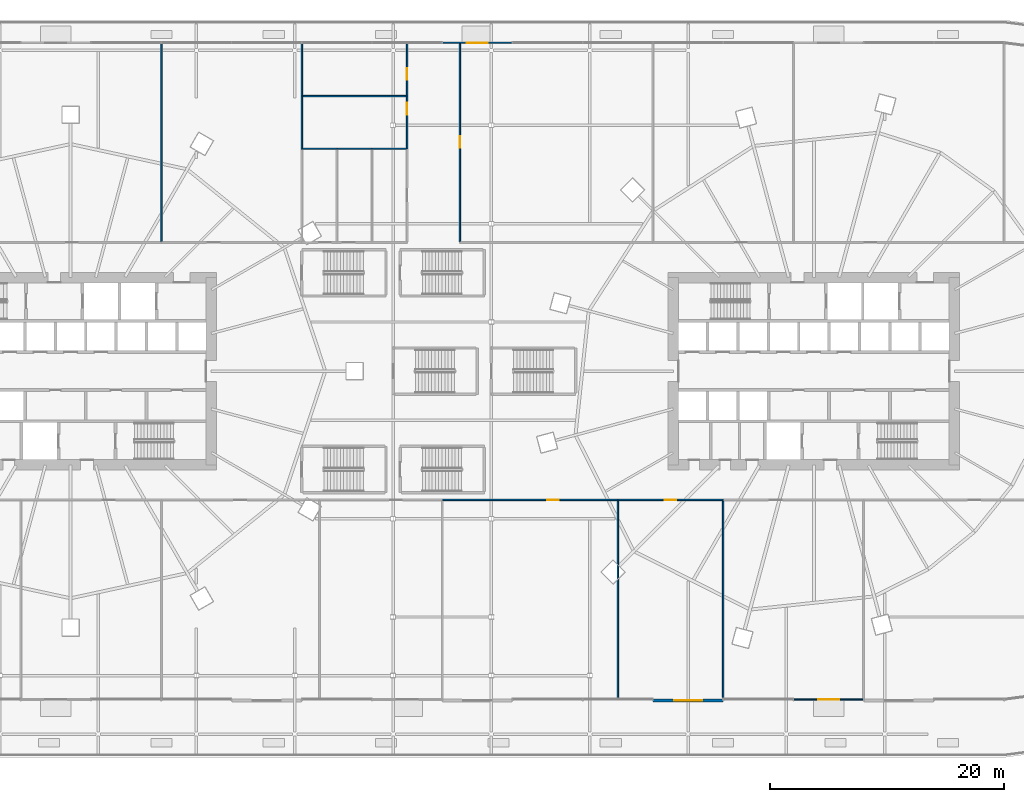
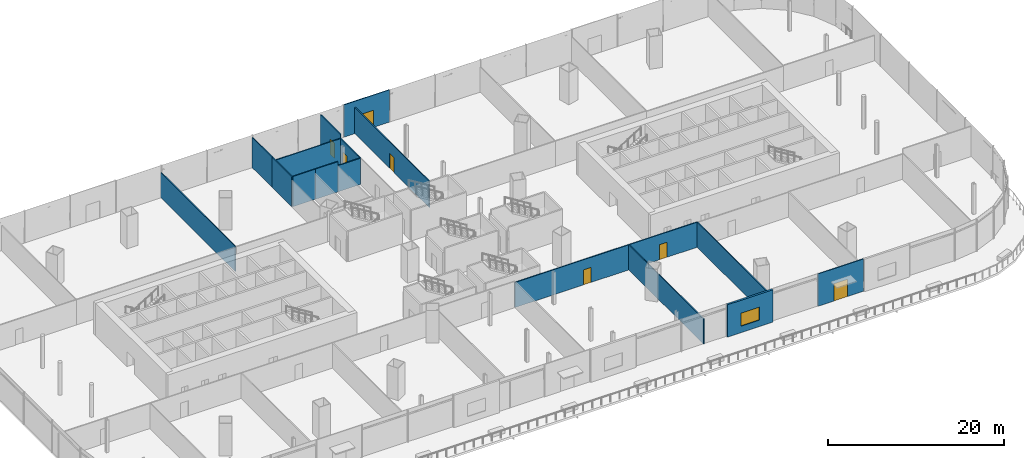
# One storey, part 37 of 52: 17 walls, 7 doors, 1 window, 8 openings.
"""IFC4 building model written with IfcOpenShell, lengths in metres."""

from ifc_helpers import new_model, si_unit, direction, frame, frame_2d, origin, place, context, subcontext, project, spatial, rectangle, extrude, material, layer, layer_set, type_object, element, fill, save


model = new_model("IFC4")

# Units and contexts
model_context = context("Model", 3, precision=1e-05, world=origin(), true_north=direction((0.0, 1.0)))
body_context = subcontext(model_context, "Body", "Model", "MODEL_VIEW")
ifc_project = project(units=[si_unit("LENGTHUNIT", "METRE"), si_unit("AREAUNIT", "SQUARE_METRE"), si_unit("VOLUMEUNIT", "CUBIC_METRE"), si_unit("PLANEANGLEUNIT", "RADIAN"), si_unit("MASSUNIT", "GRAM", prefix="KILO")], contexts=[model_context])

# Site, building, storey
site_placement = place(None, origin())
site = spatial("IfcSite", under=ifc_project, at=site_placement, CompositionType="ELEMENT")
building_placement = place(site_placement, origin())
building = spatial("IfcBuilding", under=site, at=building_placement, Name="Rimbun Link Towers", CompositionType="ELEMENT")
storey_placement = place(building_placement, frame((0.0, 0.0, 21.0)))
storey = spatial("IfcBuildingStorey", under=building, at=storey_placement, Name="L04", CompositionType="ELEMENT", Elevation=21.0)

# Wall, opening, door
ifc_material_1 = material(Name="Aluminium framed insulated infill panel", Category="aluminium")
ifc_layer_1 = layer(ifc_material_1, 0.10009765625)
ifc_layer_set_1 = layer_set([ifc_layer_1], Name="ED framed infill wall 100")
wall_type_1 = type_object("IfcWallType", Name="ED framed infill wall 100", PredefinedType="STANDARD", material=ifc_layer_set_1)
wall_1_placement = place(storey_placement, frame((0.02001953125, 28.050048828125, 0.0), z_axis=(0.0, 0.0, 1.0), x_axis=(1.0, 0.0, 0.0)))
wall_1 = element("IfcWall", 1, at=wall_1_placement, inside=storey, type_object=wall_type_1, Name="Framed door bay wall", PredefinedType="STANDARD", context=body_context, shape_type="SweptSolid", body=[
    extrude(rectangle(XDim=5.9599609375, YDim=0.10009765625, at=frame_2d((2.97998046875, 0.0))), origin(), (0.0, 0.0, 1.0), 4.5),
])
opening_1_placement = place(wall_1_placement, frame((2.080078125, 0.0, 0.0)))
opening_1 = element("IfcOpeningElement", 2, at=opening_1_placement, cuts=wall_1, Name="Opening ED39", PredefinedType="OPENING", context=body_context, shape_type="SweptSolid", body=[
    extrude(rectangle(XDim=1.800048828125, YDim=2.39990234375, at=frame_2d((0.89990234375, 1.199951171875))), frame((0.0, 0.06005859375, 0.0), z_axis=(0.0, -1.0, 0.0), x_axis=(1.0, 0.0, 0.0)), (0.0, 0.0, 1.0), 0.1201171875),
])
ifc_material_2 = material(Name="Aluminium framed glazed door, low-iron glass", Category="aluminium")
door_type_1 = type_object("IfcDoorType", Name="ED terrace door double leaf 1800X2400", OperationType="DOUBLE_DOOR_SINGLE_SWING", PredefinedType="DOOR", material=ifc_material_2)
door_1_placement = place(opening_1_placement, origin())
door_1 = element("IfcDoor", 3, at=door_1_placement, inside=storey, type_object=door_type_1, Name="Terrace door", OperationType="SINGLE_SWING_LEFT", OverallHeight=2.39990234375, OverallWidth=1.800048828125, PredefinedType="DOOR", context=body_context, shape_type="SweptSolid", body=[
    extrude(rectangle(XDim=1.800048828125, YDim=2.39990234375, at=frame_2d((0.89990234375, 1.199951171875))), frame((0.0, 0.02490234375, 0.0), z_axis=(0.0, -1.0, 0.0), x_axis=(1.0, 0.0, 0.0)), (0.0, 0.0, 1.0), 0.050048828125),
])
fill(opening_1, door_1)

wall_2_placement = place(storey_placement, frame((35.97998046875, -28.050048828125, 0.0), z_axis=(0.0, 0.0, 1.0), x_axis=(-1.0, 0.0, 0.0)))
wall_2 = element("IfcWall", 4, at=wall_2_placement, inside=storey, type_object=wall_type_1, Name="Framed door bay wall", PredefinedType="STANDARD", context=body_context, shape_type="SweptSolid", body=[
    extrude(rectangle(XDim=5.9599609375, YDim=0.10009765625, at=frame_2d((2.97998046875, 0.0))), origin(), (0.0, 0.0, 1.0), 4.5),
])
opening_2_placement = place(wall_2_placement, frame((2.080078125, 0.0, 0.0)))
opening_2 = element("IfcOpeningElement", 5, at=opening_2_placement, cuts=wall_2, Name="Opening ED43", PredefinedType="OPENING", context=body_context, shape_type="SweptSolid", body=[
    extrude(rectangle(XDim=1.800048828125, YDim=2.39990234375, at=frame_2d((0.89990234375, 1.199951171875))), frame((0.0, 0.06005859375, 0.0), z_axis=(0.0, -1.0, 0.0), x_axis=(1.0, 0.0, 0.0)), (0.0, 0.0, 1.0), 0.1201171875),
])
door_2_placement = place(opening_2_placement, origin())
door_2 = element("IfcDoor", 6, at=door_2_placement, inside=storey, type_object=door_type_1, Name="Terrace door", OperationType="SINGLE_SWING_LEFT", OverallHeight=2.39990234375, OverallWidth=1.800048828125, PredefinedType="DOOR", context=body_context, shape_type="SweptSolid", body=[
    extrude(rectangle(XDim=1.800048828125, YDim=2.39990234375, at=frame_2d((0.89990234375, 1.199951171875))), frame((0.0, 0.02490234375, 0.0), z_axis=(0.0, -1.0, 0.0), x_axis=(1.0, 0.0, 0.0)), (0.0, 0.0, 1.0), 0.050048828125),
])
fill(opening_2, door_2)

# Wall, opening, window
ifc_material_3 = material(Name="Concrete C32/40, terracotta rainscreen cladding", Category="masonry")
ifc_layer_2 = layer(ifc_material_3, 0.25)
ifc_layer_set_2 = layer_set([ifc_layer_2], Name="PD solid bay wall 250")
wall_type_2 = type_object("IfcWallType", Name="PD solid bay wall 250", PredefinedType="STANDARD", material=ifc_layer_set_2)
wall_3_placement = place(storey_placement, frame((23.97998046875, -28.125, 0.0), z_axis=(0.0, 0.0, 1.0), x_axis=(-1.0, 0.0, 0.0)))
wall_3 = element("IfcWall", 7, at=wall_3_placement, inside=storey, type_object=wall_type_2, Name="Solid bay wall", PredefinedType="STANDARD", context=body_context, shape_type="SweptSolid", body=[
    extrude(rectangle(XDim=5.9599609375, YDim=0.25, at=frame_2d((2.97998046875, 0.0))), origin(), (0.0, 0.0, 1.0), 4.5),
])
opening_3_placement = place(wall_3_placement, frame((1.780029296875, 0.0, 0.89990234375)))
opening_3 = element("IfcOpeningElement", 8, at=opening_3_placement, cuts=wall_3, Name="Opening WN18", PredefinedType="OPENING", context=body_context, shape_type="SweptSolid", body=[
    extrude(rectangle(XDim=2.39990234375, YDim=1.800048828125, at=frame_2d((1.199951171875, 0.89990234375))), frame((0.0, 0.135009765625, 0.0), z_axis=(0.0, -1.0, 0.0), x_axis=(1.0, 0.0, 0.0)), (0.0, 0.0, 1.0), 0.27001953125),
])
ifc_material_4 = material(Name="Aluminium framed window, low-iron glass", Category="aluminium")
window_type = type_object("IfcWindowType", Name="W1 podium window 2400X1800", PartitioningType="SINGLE_PANEL", PredefinedType="WINDOW", material=ifc_material_4)
window_placement = place(opening_3_placement, origin())
window = element("IfcWindow", 9, at=window_placement, inside=storey, type_object=window_type, Name="Podium window", OverallHeight=1.800048828125, OverallWidth=2.39990234375, PartitioningType="SINGLE_PANEL", PredefinedType="WINDOW", context=body_context, shape_type="SweptSolid", body=[
    extrude(rectangle(XDim=2.39990234375, YDim=1.800048828125, at=frame_2d((1.199951171875, 0.89990234375))), frame((0.0, 0.030029296875, 0.0), z_axis=(0.0, -1.0, 0.0), x_axis=(1.0, 0.0, 0.0)), (0.0, 0.0, 1.0), 0.06005859375),
])
fill(opening_3, window)

# Wall, opening, door
ifc_material_5 = material(Name="Gypsum board on steel studs", Category="steel")
ifc_layer_3 = layer(ifc_material_5, 0.125)
ifc_layer_set_3 = layer_set([ifc_layer_3], Name="Partition 125 board on studs")
wall_type_3 = type_object("IfcWallType", Name="Partition 125 board on studs", PredefinedType="PARTITIONING", material=ifc_layer_set_3)
wall_4_placement = place(storey_placement, frame((0.0, -11.0, 0.0), z_axis=(0.0, 0.0, 1.0), x_axis=(1.0, 0.0, 0.0)))
wall_4 = element("IfcWall", 10, at=wall_4_placement, inside=storey, type_object=wall_type_3, Name="PD/PW/L04/030", PredefinedType="PARTITIONING", context=body_context, shape_type="SweptSolid", body=[
    extrude(rectangle(XDim=15.0, YDim=0.125, at=frame_2d((7.5, 0.0))), origin(), (0.0, 0.0, 1.0), 3.49609375),
])
opening_4_placement = place(wall_4_placement, frame((8.965087890625, 0.0, 0.0)))
opening_4 = element("IfcOpeningElement", 11, at=opening_4_placement, cuts=wall_4, Name="Opening PD D04.06", PredefinedType="OPENING", context=body_context, shape_type="SweptSolid", body=[
    extrude(rectangle(XDim=1.0, YDim=2.10009765625, at=frame_2d((0.5, 1.050048828125))), frame((0.0, 0.072509765625, 0.0), z_axis=(0.0, -1.0, 0.0), x_axis=(1.0, 0.0, 0.0)), (0.0, 0.0, 1.0), 0.14501953125),
])
ifc_material_6 = material(Name="Timber door set", Category="wood")
door_type_2 = type_object("IfcDoorType", Name="Door single leaf 1000 x 2100", OperationType="NOTDEFINED", PredefinedType="DOOR", material=ifc_material_6)
door_3_placement = place(opening_4_placement, origin())
door_3 = element("IfcDoor", 12, at=door_3_placement, inside=storey, type_object=door_type_2, Name="PD/DR/L04/006", OperationType="SINGLE_SWING_LEFT", OverallHeight=2.10009765625, OverallWidth=1.0, PredefinedType="DOOR", context=body_context, shape_type="SweptSolid", body=[
    extrude(rectangle(XDim=1.0, YDim=2.10009765625, at=frame_2d((0.5, 1.050048828125))), frame((0.0, 0.02490234375, 0.0), z_axis=(0.0, -1.0, 0.0), x_axis=(1.0, 0.0, 0.0)), (0.0, 0.0, 1.0), 0.050048828125),
])
fill(opening_4, door_3)

wall_5_placement = place(storey_placement, frame((15.0, -11.0, 0.0), z_axis=(0.0, 0.0, 1.0), x_axis=(1.0, 0.0, 0.0)))
wall_5 = element("IfcWall", 13, at=wall_5_placement, inside=storey, type_object=wall_type_3, Name="PD/PW/L04/031", PredefinedType="PARTITIONING", context=body_context, shape_type="SweptSolid", body=[
    extrude(rectangle(XDim=9.0, YDim=0.125, at=frame_2d((4.5, 0.0))), origin(), (0.0, 0.0, 1.0), 3.49609375),
])
opening_5_placement = place(wall_5_placement, frame((4.0, 0.0, 0.0)))
opening_5 = element("IfcOpeningElement", 14, at=opening_5_placement, cuts=wall_5, Name="Opening PD D04.07", PredefinedType="OPENING", context=body_context, shape_type="SweptSolid", body=[
    extrude(rectangle(XDim=1.0, YDim=2.10009765625, at=frame_2d((0.5, 1.050048828125))), frame((0.0, 0.072509765625, 0.0), z_axis=(0.0, -1.0, 0.0), x_axis=(1.0, 0.0, 0.0)), (0.0, 0.0, 1.0), 0.14501953125),
])
door_4_placement = place(opening_5_placement, origin())
door_4 = element("IfcDoor", 15, at=door_4_placement, inside=storey, type_object=door_type_2, Name="PD/DR/L04/007", OperationType="SINGLE_SWING_RIGHT", OverallHeight=2.10009765625, OverallWidth=1.0, PredefinedType="DOOR", context=body_context, shape_type="SweptSolid", body=[
    extrude(rectangle(XDim=1.0, YDim=2.10009765625, at=frame_2d((0.5, 1.050048828125))), frame((0.0, 0.02490234375, 0.0), z_axis=(0.0, -1.0, 0.0), x_axis=(1.0, 0.0, 0.0)), (0.0, 0.0, 1.0), 0.050048828125),
])
fill(opening_5, door_4)

# Walls
for number, where, z_axis, x_axis, name in (
    (16, (15.0, -28.080078125, 0.0), (0.0, 0.0, 1.0), (0.0, 1.0, 0.0), "PD/PW/L04/050"),
    (17, (24.0, -28.080078125, 0.0), (0.0, 0.0, 1.0), (0.0, 1.0, 0.0), "PD/PW/L04/051"),
):
    element("IfcWall", number, at=place(storey_placement, frame(where, z_axis=z_axis, x_axis=x_axis)), inside=storey, type_object=wall_type_3, Name=name, PredefinedType="PARTITIONING", context=body_context, shape_type="SweptSolid", body=[
        extrude(rectangle(XDim=17.017578125, YDim=0.125, at=frame_2d((8.5087890625, 0.0))), origin(), (0.0, 0.0, 1.0), 3.49609375),
    ])

# Wall, opening, door
wall_6_placement = place(storey_placement, frame((-3.0, 23.5, 0.0), z_axis=(0.0, 0.0, 1.0), x_axis=(0.0, -1.0, 0.0)))
wall_6 = element("IfcWall", 18, at=wall_6_placement, inside=storey, type_object=wall_type_3, Name="PD/PW/L04/055", PredefinedType="PARTITIONING", context=body_context, shape_type="SweptSolid", body=[
    extrude(rectangle(XDim=4.5, YDim=0.125, at=frame_2d((2.25, 0.0))), origin(), (0.0, 0.0, 1.0), 3.64697265625),
])
opening_6_placement = place(wall_6_placement, frame((0.580078125, 0.0, 0.0)))
opening_6 = element("IfcOpeningElement", 19, at=opening_6_placement, cuts=wall_6, Name="Opening PD D04.14", PredefinedType="OPENING", context=body_context, shape_type="SweptSolid", body=[
    extrude(rectangle(XDim=1.0, YDim=2.10009765625, at=frame_2d((0.5, 1.050048828125))), frame((0.0, 0.072509765625, 0.0), z_axis=(0.0, -1.0, 0.0), x_axis=(1.0, 0.0, 0.0)), (0.0, 0.0, 1.0), 0.14501953125),
])
door_5_placement = place(opening_6_placement, origin())
door_5 = element("IfcDoor", 20, at=door_5_placement, inside=storey, type_object=door_type_2, Name="PD/DR/L04/014", OperationType="SINGLE_SWING_LEFT", OverallHeight=2.10009765625, OverallWidth=1.0, PredefinedType="DOOR", context=body_context, shape_type="SweptSolid", body=[
    extrude(rectangle(XDim=1.0, YDim=2.10009765625, at=frame_2d((0.5, 1.050048828125))), frame((0.0, 0.02490234375, 0.0), z_axis=(0.0, -1.0, 0.0), x_axis=(1.0, 0.0, 0.0)), (0.0, 0.0, 1.0), 0.050048828125),
])
fill(opening_6, door_5)

wall_7_placement = place(storey_placement, frame((-3.0, 28.080078125, 0.0), z_axis=(0.0, 0.0, 1.0), x_axis=(0.0, -1.0, 0.0)))
wall_7 = element("IfcWall", 21, at=wall_7_placement, inside=storey, type_object=wall_type_3, Name="PD/PW/L04/056", PredefinedType="PARTITIONING", context=body_context, shape_type="SweptSolid", body=[
    extrude(rectangle(XDim=4.580078125, YDim=0.125, at=frame_2d((2.2900390625, 0.0))), origin(), (0.0, 0.0, 1.0), 4.199951171875),
])
opening_7_placement = place(wall_7_placement, frame((2.19189453125, 0.0, 0.0)))
opening_7 = element("IfcOpeningElement", 22, at=opening_7_placement, cuts=wall_7, Name="Opening PD D04.15", PredefinedType="OPENING", context=body_context, shape_type="SweptSolid", body=[
    extrude(rectangle(XDim=1.0, YDim=2.10009765625, at=frame_2d((0.5, 1.050048828125))), frame((0.0, 0.072509765625, 0.0), z_axis=(0.0, -1.0, 0.0), x_axis=(1.0, 0.0, 0.0)), (0.0, 0.0, 1.0), 0.14501953125),
])
door_6_placement = place(opening_7_placement, origin())
door_6 = element("IfcDoor", 23, at=door_6_placement, inside=storey, type_object=door_type_2, Name="PD/DR/L04/015", OperationType="SINGLE_SWING_RIGHT", OverallHeight=2.10009765625, OverallWidth=1.0, PredefinedType="DOOR", context=body_context, shape_type="SweptSolid", body=[
    extrude(rectangle(XDim=1.0, YDim=2.10009765625, at=frame_2d((0.5, 1.050048828125))), frame((0.0, 0.02490234375, 0.0), z_axis=(0.0, -1.0, 0.0), x_axis=(1.0, 0.0, 0.0)), (0.0, 0.0, 1.0), 0.050048828125),
])
fill(opening_7, door_6)

wall_8_placement = place(storey_placement, frame((1.5, 11.0625, 0.0), z_axis=(0.0, 0.0, 1.0), x_axis=(0.0, 1.0, 0.0)))
wall_8 = element("IfcWall", 24, at=wall_8_placement, inside=storey, type_object=wall_type_3, Name="PD/PW/L04/057", PredefinedType="PARTITIONING", context=body_context, shape_type="SweptSolid", body=[
    extrude(rectangle(XDim=17.017578125, YDim=0.125, at=frame_2d((8.5087890625, 0.0))), origin(), (0.0, 0.0, 1.0), 3.64697265625),
])
opening_8_placement = place(wall_8_placement, frame((8.009033203125, 0.0, 0.0)))
opening_8 = element("IfcOpeningElement", 25, at=opening_8_placement, cuts=wall_8, Name="Opening PD D04.19", PredefinedType="OPENING", context=body_context, shape_type="SweptSolid", body=[
    extrude(rectangle(XDim=1.0, YDim=2.10009765625, at=frame_2d((0.5, 1.050048828125))), frame((0.0, 0.072509765625, 0.0), z_axis=(0.0, -1.0, 0.0), x_axis=(1.0, 0.0, 0.0)), (0.0, 0.0, 1.0), 0.14501953125),
])
door_7_placement = place(opening_8_placement, origin())
door_7 = element("IfcDoor", 26, at=door_7_placement, inside=storey, type_object=door_type_2, Name="PD/DR/L04/019", OperationType="SINGLE_SWING_RIGHT", OverallHeight=2.10009765625, OverallWidth=1.0, PredefinedType="DOOR", context=body_context, shape_type="SweptSolid", body=[
    extrude(rectangle(XDim=1.0, YDim=2.10009765625, at=frame_2d((0.5, 1.050048828125))), frame((0.0, 0.02490234375, 0.0), z_axis=(0.0, -1.0, 0.0), x_axis=(1.0, 0.0, 0.0)), (0.0, 0.0, 1.0), 0.050048828125),
])
fill(opening_8, door_7)

# Walls
wall_9_placement = place(storey_placement, frame((-8.97998046875, 19.0, 0.0), z_axis=(0.0, 0.0, 1.0), x_axis=(-1.0, 0.0, 0.0)))
element("IfcWall", 27, at=wall_9_placement, inside=storey, type_object=wall_type_3, Name="PD/PW/L04/059", PredefinedType="PARTITIONING", context=body_context, shape_type="SweptSolid", body=[
    extrude(rectangle(XDim=2.95751953125, YDim=0.125, at=frame_2d((1.478759765625, 0.0))), origin(), (0.0, 0.0, 1.0), 4.199951171875),
])
wall_10_placement = place(storey_placement, frame((-5.97998046875, 19.0, 0.0), z_axis=(0.0, 0.0, 1.0), x_axis=(-1.0, 0.0, 0.0)))
element("IfcWall", 28, at=wall_10_placement, inside=storey, type_object=wall_type_3, Name="PD/PW/L04/062", PredefinedType="PARTITIONING", context=body_context, shape_type="SweptSolid", body=[
    extrude(rectangle(XDim=3.0400390625, YDim=0.125, at=frame_2d((1.52001953125, 0.0))), origin(), (0.0, 0.0, 1.0), 4.199951171875),
])
wall_11_placement = place(storey_placement, frame((-3.0625, 19.0, 0.0), z_axis=(0.0, 0.0, 1.0), x_axis=(-1.0, 0.0, 0.0)))
element("IfcWall", 29, at=wall_11_placement, inside=storey, type_object=wall_type_3, Name="PD/PW/L04/063", PredefinedType="PARTITIONING", context=body_context, shape_type="SweptSolid", body=[
    extrude(rectangle(XDim=2.95751953125, YDim=0.125, at=frame_2d((1.478759765625, 0.0))), origin(), (0.0, 0.0, 1.0), 3.64697265625),
])
wall_12_placement = place(storey_placement, frame((-3.0625, 23.5, 0.0), z_axis=(0.0, 0.0, 1.0), x_axis=(-1.0, 0.0, 0.0)))
element("IfcWall", 30, at=wall_12_placement, inside=storey, type_object=wall_type_3, Name="PD/PW/L04/064", PredefinedType="PARTITIONING", context=body_context, shape_type="SweptSolid", body=[
    extrude(rectangle(XDim=8.875, YDim=0.125, at=frame_2d((4.4375, 0.0))), origin(), (0.0, 0.0, 1.0), 3.64697265625),
])
wall_13_placement = place(storey_placement, frame((-12.0, 23.52001953125, 0.0), z_axis=(0.0, 0.0, 1.0), x_axis=(0.0, -1.0, 0.0)))
element("IfcWall", 31, at=wall_13_placement, inside=storey, type_object=wall_type_3, Name="PD/PW/L04/065", PredefinedType="PARTITIONING", context=body_context, shape_type="SweptSolid", body=[
    extrude(rectangle(XDim=4.5400390625, YDim=0.125, at=frame_2d((2.27001953125, 0.0))), origin(), (0.0, 0.0, 1.0), 4.199951171875),
])
wall_14_placement = place(storey_placement, frame((-12.0, 28.080078125, 0.0), z_axis=(0.0, 0.0, 1.0), x_axis=(0.0, -1.0, 0.0)))
element("IfcWall", 32, at=wall_14_placement, inside=storey, type_object=wall_type_3, Name="PD/PW/L04/066", PredefinedType="PARTITIONING", context=body_context, shape_type="SweptSolid", body=[
    extrude(rectangle(XDim=4.60009765625, YDim=0.125, at=frame_2d((2.300048828125, 0.0))), origin(), (0.0, 0.0, 1.0), 4.199951171875),
])
wall_15_placement = place(storey_placement, frame((-24.0, 11.0625, 0.0), z_axis=(0.0, 0.0, 1.0), x_axis=(0.0, 1.0, 0.0)))
element("IfcWall", 33, at=wall_15_placement, inside=storey, type_object=wall_type_3, Name="PD/PW/L04/068", PredefinedType="PARTITIONING", context=body_context, shape_type="SweptSolid", body=[
    extrude(rectangle(XDim=17.017578125, YDim=0.125, at=frame_2d((8.5087890625, 0.0))), origin(), (0.0, 0.0, 1.0), 3.49609375),
])

save(model, "model.ifc")
